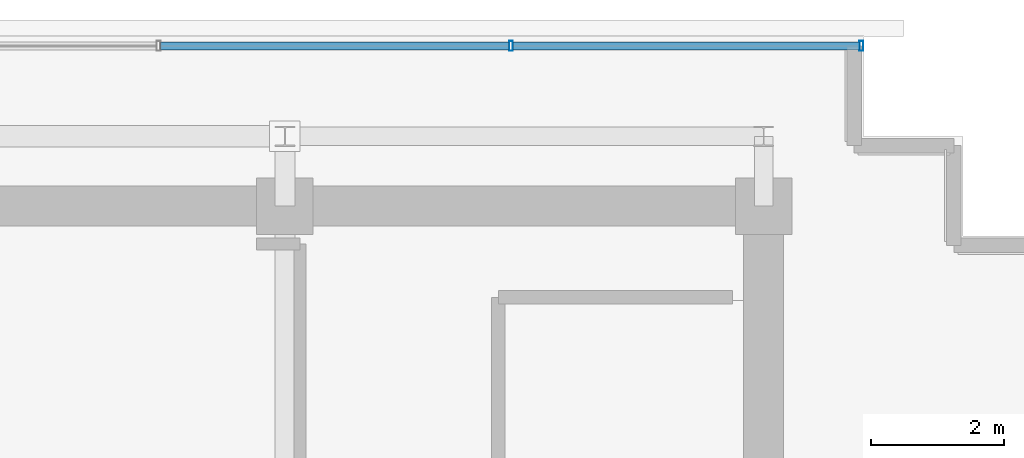
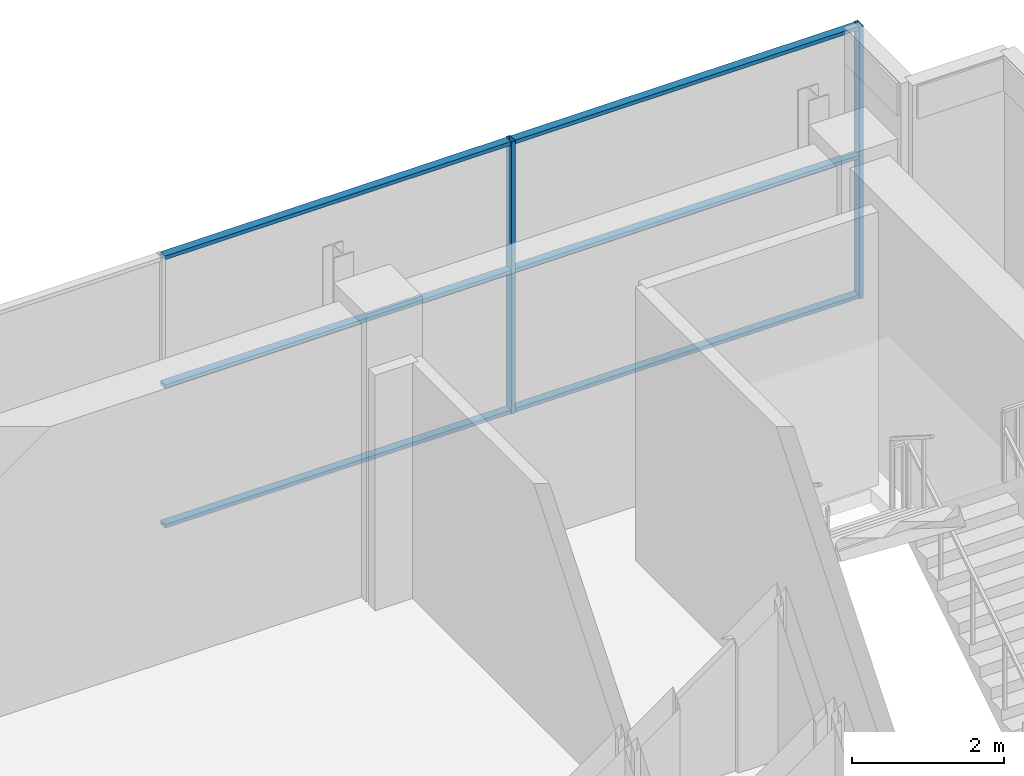
# One storey, part 21 of 26: 8 members, 1 element without a shape of its own.
"""IFC4 building model written with IfcOpenShell, lengths in metres."""

from ifc_helpers import new_model, si_unit, direction, frame, origin, origin_2d, place, context, subcontext, project, spatial, hollow_rectangle, extrude, source, transform, mapped, material, layer, layer_set, material_profile, profile_set, type_object, element, aggregate, save


model = new_model("IFC4")

# Units and contexts
model_context = context("Model", 3, precision=1e-05, world=origin(), true_north=direction((0.0, 1.0)))
body_context = subcontext(model_context, "Body", "Model", "MODEL_VIEW")
ifc_project = project(units=[si_unit("LENGTHUNIT", "METRE"), si_unit("AREAUNIT", "SQUARE_METRE"), si_unit("VOLUMEUNIT", "CUBIC_METRE"), si_unit("PLANEANGLEUNIT", "RADIAN"), si_unit("MASSUNIT", "GRAM", prefix="KILO")], contexts=[model_context])

# Site, building, storey
site_placement = place(None, origin())
site = spatial("IfcSite", under=ifc_project, at=site_placement, CompositionType="ELEMENT")
building_placement = place(site_placement, origin())
building = spatial("IfcBuilding", under=site, at=building_placement, Name="Zarnakvel Exchange Tower", CompositionType="ELEMENT")
storey_placement = place(building_placement, frame((0.0, 0.0, 285.39990234375)))
storey = spatial("IfcBuildingStorey", under=building, at=storey_placement, Name="Crown L80", CompositionType="ELEMENT", Elevation=285.39990234375)

# Curtain wall, members
ifc_material = material(Name="Architectural Bronze Anodised Aluminium", Category="aluminium")
ifc_layer = layer(ifc_material, 0.14990234375)
ifc_layer_set = layer_set([ifc_layer], Name="Architectural Bronze Anodised Aluminium")
curtain_wall_type = type_object("IfcCurtainWallType", Name="CW-07", PredefinedType="NOTDEFINED", material=ifc_layer_set)
curtain_wall_placement = place(storey_placement, origin())
curtain_wall = element("IfcCurtainWall", 1, at=curtain_wall_placement, inside=storey, type_object=curtain_wall_type, Name="Crown L80 Curtain Wall CW-Crown L80-N (CW-07)", PredefinedType="NOTDEFINED")
ifc_material_profile_1 = material_profile(ifc_material, hollow_rectangle(XDim=0.14990234375, YDim=0.06005859375, WallThickness=0.00390625, at=origin_2d()))
ifc_profile_set_1 = profile_set([ifc_material_profile_1], Name="Architectural Bronze Anodised Aluminium")
member_type_1 = type_object("IfcMemberType", Name="CWM-07", PredefinedType="MULLION", material=ifc_profile_set_1)
shared_shape_1 = source(origin(), body_context, "Body", "SweptSolid", [
    extrude(hollow_rectangle(XDim=0.14990234375, YDim=0.06005859375, WallThickness=0.00390625, at=origin_2d()), origin(), (0.0, 0.0, 1.0), 4.360107421875),
])
member_1_placement = place(storey_placement, frame((10.60009765625, 15.909912109375, 0.0), z_axis=(0.0, 0.0, 1.0), x_axis=(0.0, 1.0, 0.0)))
member_1 = element("IfcMember", 2, at=member_1_placement, type_object=member_type_1, Name="CW-07 mullion 6", PredefinedType="MULLION", context=body_context, shape_type="MappedRepresentation", body=[
    mapped(shared_shape_1, transform((0.0, 0.0, 0.0), x_axis=(1.0, 0.0, 0.0), y_axis=(0.0, 1.0, 0.0), z_axis=(0.0, 0.0, 1.0), scale=1.0)),
])
member_2_placement = place(storey_placement, frame((15.8701171875, 15.909912109375, 0.0), z_axis=(0.0, 0.0, 1.0), x_axis=(0.0, 1.0, 0.0)))
member_2 = element("IfcMember", 3, at=member_2_placement, type_object=member_type_1, Name="CW-07 mullion 7", PredefinedType="MULLION", context=body_context, shape_type="MappedRepresentation", body=[
    mapped(shared_shape_1, transform((0.0, 0.0, 0.0), x_axis=(1.0, 0.0, 0.0), y_axis=(0.0, 1.0, 0.0), z_axis=(0.0, 0.0, 1.0), scale=1.0)),
])
ifc_material_profile_2 = material_profile(ifc_material, hollow_rectangle(XDim=0.1201171875, YDim=0.06005859375, WallThickness=0.00390625, at=origin_2d()))
ifc_profile_set_2 = profile_set([ifc_material_profile_2], Name="Architectural Bronze Anodised Aluminium")
member_type_2 = type_object("IfcMemberType", Name="CWT-07", PredefinedType="USERDEFINED", material=ifc_profile_set_2)
shared_shape_2 = source(origin(), body_context, "Body", "SweptSolid", [
    extrude(hollow_rectangle(XDim=0.1201171875, YDim=0.06005859375, WallThickness=0.00390625, at=origin_2d()), origin(), (0.0, 0.0, 1.0), 5.210205078125),
])
member_3_placement = place(storey_placement, frame((10.6298828125, 15.909912109375, 0.030029296875), z_axis=(1.0, 0.0, 0.0), x_axis=(0.0, 1.0, 0.0)))
member_3 = element("IfcMember", 4, at=member_3_placement, type_object=member_type_2, Name="CW-07 transom 6.1", ObjectType="TRANSOM", PredefinedType="USERDEFINED", context=body_context, shape_type="MappedRepresentation", body=[
    mapped(shared_shape_2, transform((0.0, 0.0, 0.0), x_axis=(1.0, 0.0, 0.0), y_axis=(0.0, 1.0, 0.0), z_axis=(0.0, 0.0, 1.0), scale=1.0)),
])
member_4_placement = place(storey_placement, frame((10.6298828125, 15.909912109375, 2.267333984375), z_axis=(1.0, 0.0, 0.0), x_axis=(0.0, 1.0, 0.0)))
member_4 = element("IfcMember", 5, at=member_4_placement, type_object=member_type_2, Name="CW-07 transom 6.2", ObjectType="TRANSOM", PredefinedType="USERDEFINED", context=body_context, shape_type="MappedRepresentation", body=[
    mapped(shared_shape_2, transform((0.0, 0.0, 0.0), x_axis=(1.0, 0.0, 0.0), y_axis=(0.0, 1.0, 0.0), z_axis=(0.0, 0.0, 1.0), scale=1.0)),
])
member_5_placement = place(storey_placement, frame((10.6298828125, 15.909912109375, 4.330078125), z_axis=(1.0, 0.0, 0.0), x_axis=(0.0, 1.0, 0.0)))
member_5 = element("IfcMember", 6, at=member_5_placement, type_object=member_type_2, Name="CW-07 transom 6.3", ObjectType="TRANSOM", PredefinedType="USERDEFINED", context=body_context, shape_type="MappedRepresentation", body=[
    mapped(shared_shape_2, transform((0.0, 0.0, 0.0), x_axis=(1.0, 0.0, 0.0), y_axis=(0.0, 1.0, 0.0), z_axis=(0.0, 0.0, 1.0), scale=1.0)),
])
shared_shape_3 = source(origin(), body_context, "Body", "SweptSolid", [
    extrude(hollow_rectangle(XDim=0.1201171875, YDim=0.06005859375, WallThickness=0.00390625, at=origin_2d()), origin(), (0.0, 0.0, 1.0), 5.239990234375),
])
member_6_placement = place(storey_placement, frame((5.330078125, 15.909912109375, 0.030029296875), z_axis=(1.0, 0.0, 0.0), x_axis=(0.0, 1.0, 0.0)))
member_6 = element("IfcMember", 7, at=member_6_placement, type_object=member_type_2, Name="CW-07 transom 5.1", ObjectType="TRANSOM", PredefinedType="USERDEFINED", context=body_context, shape_type="MappedRepresentation", body=[
    mapped(shared_shape_3, transform((0.0, 0.0, 0.0), x_axis=(1.0, 0.0, 0.0), y_axis=(0.0, 1.0, 0.0), z_axis=(0.0, 0.0, 1.0), scale=1.0)),
])
member_7_placement = place(storey_placement, frame((5.330078125, 15.909912109375, 2.267333984375), z_axis=(1.0, 0.0, 0.0), x_axis=(0.0, 1.0, 0.0)))
member_7 = element("IfcMember", 8, at=member_7_placement, type_object=member_type_2, Name="CW-07 transom 5.2", ObjectType="TRANSOM", PredefinedType="USERDEFINED", context=body_context, shape_type="MappedRepresentation", body=[
    mapped(shared_shape_3, transform((0.0, 0.0, 0.0), x_axis=(1.0, 0.0, 0.0), y_axis=(0.0, 1.0, 0.0), z_axis=(0.0, 0.0, 1.0), scale=1.0)),
])
member_8_placement = place(storey_placement, frame((5.330078125, 15.909912109375, 4.330078125), z_axis=(1.0, 0.0, 0.0), x_axis=(0.0, 1.0, 0.0)))
member_8 = element("IfcMember", 9, at=member_8_placement, type_object=member_type_2, Name="CW-07 transom 5.3", ObjectType="TRANSOM", PredefinedType="USERDEFINED", context=body_context, shape_type="MappedRepresentation", body=[
    mapped(shared_shape_3, transform((0.0, 0.0, 0.0), x_axis=(1.0, 0.0, 0.0), y_axis=(0.0, 1.0, 0.0), z_axis=(0.0, 0.0, 1.0), scale=1.0)),
])
aggregate(curtain_wall, [member_1, member_2, member_6, member_7, member_8, member_3, member_4, member_5])

save(model, "model.ifc")
